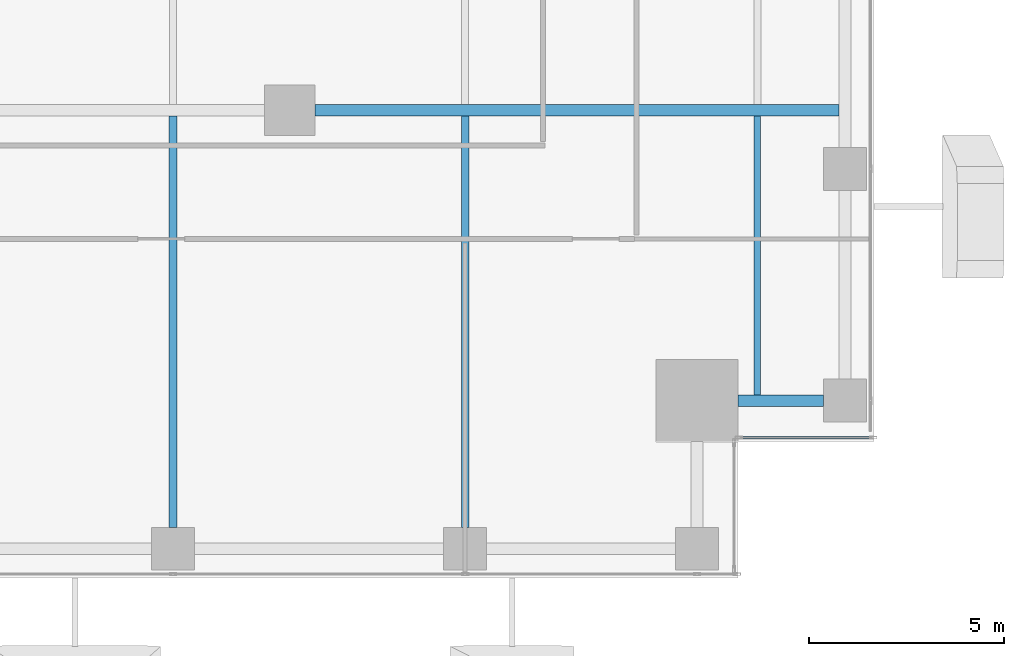
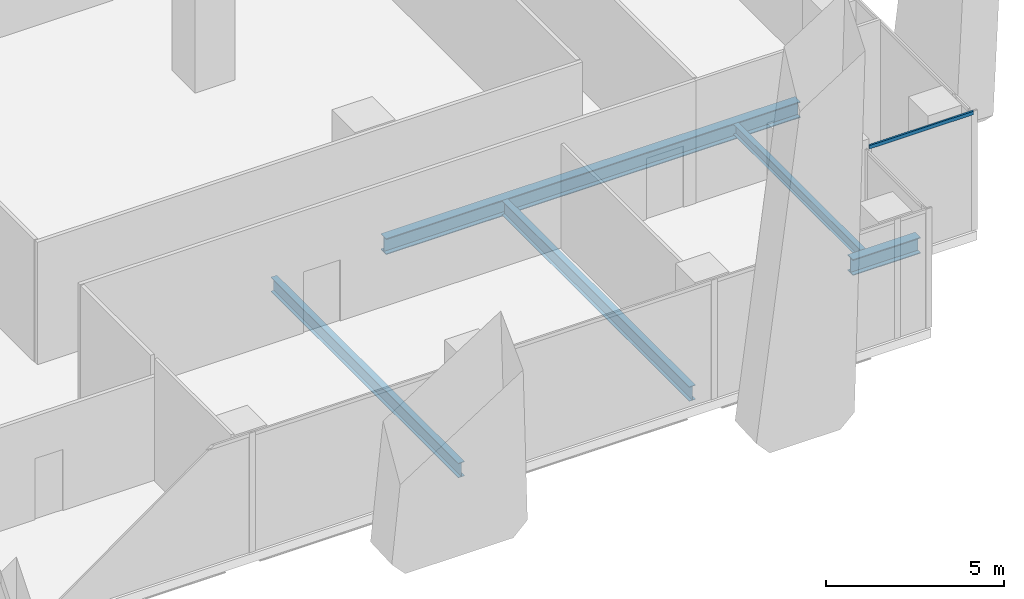
# One storey, part 10 of 35: 5 beams, 1 member, 1 element without a shape of its own.
"""IFC4 building model written with IfcOpenShell, lengths in metres."""

from ifc_helpers import new_model, si_unit, direction, frame, origin, origin_2d, place, context, subcontext, project, spatial, hollow_rectangle, i_section, extrude, source, transform, mapped, material, material_profile, profile_set, type_object, element, aggregate, save


model = new_model("IFC4")

# Units and contexts
model_context = context("Model", 3, precision=1e-05, world=origin(), true_north=direction((0.0, 1.0)))
body_context = subcontext(model_context, "Body", "Model", "MODEL_VIEW")
ifc_project = project(units=[si_unit("LENGTHUNIT", "METRE"), si_unit("AREAUNIT", "SQUARE_METRE"), si_unit("VOLUMEUNIT", "CUBIC_METRE"), si_unit("PLANEANGLEUNIT", "RADIAN"), si_unit("MASSUNIT", "GRAM", prefix="KILO")], contexts=[model_context])

# Site, building, storey
site_placement = place(None, origin())
site = spatial("IfcSite", under=ifc_project, at=site_placement, CompositionType="ELEMENT")
building_placement = place(site_placement, origin())
building = spatial("IfcBuilding", under=site, at=building_placement, Name="Khomas Fold Tower", CompositionType="ELEMENT")
storey_placement = place(building_placement, frame((0.0, 0.0, 119.10009765625)))
storey = spatial("IfcBuildingStorey", under=building, at=storey_placement, Name="L25", CompositionType="ELEMENT", Elevation=119.10009765625)

# Beams
ifc_material_1 = material(Name="Steel S355", Category="steel")
ifc_material_profile_1 = material_profile(ifc_material_1, i_section(OverallWidth=0.169921875, OverallDepth=0.360107421875, WebThickness=0.008056640625, FlangeThickness=0.0126953125, at=origin_2d()), Name="IPE 360")
ifc_profile_set_1 = profile_set([ifc_material_profile_1], Name="Steel S355")
beam_type_1 = type_object("IfcBeamType", Name="IPE 360 beam JB2", PredefinedType="BEAM", material=ifc_profile_set_1)
shared_shape_1 = source(origin(), body_context, "Body", "SweptSolid", [
    extrude(i_section(OverallWidth=0.169921875, OverallDepth=0.360107421875, WebThickness=0.008056640625, FlangeThickness=0.0126953125, at=origin_2d()), origin(), (0.0, 0.0, 1.0), 7.150146484375),
])
beam_1_placement = place(storey_placement, frame((49.5, 6.199951171875, -0.47998046875), z_axis=(0.0, 1.0, 0.0), x_axis=(-1.0, 0.0, 0.0)))
element("IfcBeam", 1, at=beam_1_placement, inside=storey, type_object=beam_type_1, Name="JB2", PredefinedType="BEAM", context=body_context, shape_type="MappedRepresentation", body=[
    mapped(shared_shape_1, transform((0.0, 0.0, 0.0))),
])
ifc_material_2 = material(Name="Steel S355", Category="steel")
ifc_material_profile_2 = material_profile(ifc_material_2, i_section(OverallWidth=0.300048828125, OverallDepth=0.550048828125, WebThickness=0.014892578125, FlangeThickness=0.029052734375, at=origin_2d()), Name="HE 550 B")
ifc_profile_set_2 = profile_set([ifc_material_profile_2], Name="Steel S355")
beam_type_2 = type_object("IfcBeamType", Name="HE 550 B spandrel SB2", PredefinedType="SPANDREL", material=ifc_profile_set_2)
shared_shape_2 = source(origin(), body_context, "Body", "SweptSolid", [
    extrude(i_section(OverallWidth=0.300048828125, OverallDepth=0.550048828125, WebThickness=0.014892578125, FlangeThickness=0.029052734375, at=origin_2d()), origin(), (0.0, 0.0, 1.0), 2.199951171875),
])
beam_2_placement = place(storey_placement, frame((49.0, 6.050048828125, -0.5751953125), z_axis=(1.0, 0.0, 0.0), x_axis=(0.0, 1.0, 0.0)))
element("IfcBeam", 2, at=beam_2_placement, inside=storey, type_object=beam_type_2, Name="SB2", PredefinedType="SPANDREL", context=body_context, shape_type="MappedRepresentation", body=[
    mapped(shared_shape_2, transform((0.0, 0.0, 0.0))),
])
ifc_material_3 = material(Name="Steel S355", Category="steel")
ifc_material_profile_3 = material_profile(ifc_material_3, i_section(OverallWidth=0.300048828125, OverallDepth=0.550048828125, WebThickness=0.014892578125, FlangeThickness=0.029052734375, at=origin_2d()), Name="HE 550 B")
ifc_profile_set_3 = profile_set([ifc_material_profile_3], Name="Steel S355")
beam_type_3 = type_object("IfcBeamType", Name="HE 550 B beam GB4", PredefinedType="BEAM", material=ifc_profile_set_3)
shared_shape_3 = source(origin(), body_context, "Body", "SweptSolid", [
    extrude(i_section(OverallWidth=0.300048828125, OverallDepth=0.550048828125, WebThickness=0.014892578125, FlangeThickness=0.029052734375, at=origin_2d()), origin(), (0.0, 0.0, 1.0), 13.4501953125),
])
beam_3_placement = place(storey_placement, frame((38.14990234375, 13.5, -0.5751953125), z_axis=(1.0, 0.0, 0.0), x_axis=(0.0, 1.0, 0.0)))
element("IfcBeam", 3, at=beam_3_placement, inside=storey, type_object=beam_type_3, Name="GB4", PredefinedType="BEAM", context=body_context, shape_type="MappedRepresentation", body=[
    mapped(shared_shape_3, transform((0.0, 0.0, 0.0))),
])
ifc_material_4 = material(Name="Steel S355", Category="steel")
ifc_material_profile_4 = material_profile(ifc_material_4, i_section(OverallWidth=0.199951171875, OverallDepth=0.5, WebThickness=0.01025390625, FlangeThickness=0.01611328125, at=origin_2d()), Name="IPE 500")
ifc_profile_set_4 = profile_set([ifc_material_profile_4], Name="Steel S355")
beam_type_4 = type_object("IfcBeamType", Name="IPE 500 beam JB5", PredefinedType="BEAM", material=ifc_profile_set_4)
shared_shape_4 = source(origin(), body_context, "Body", "SweptSolid", [
    extrude(i_section(OverallWidth=0.199951171875, OverallDepth=0.5, WebThickness=0.01025390625, FlangeThickness=0.01611328125, at=origin_2d()), origin(), (0.0, 0.0, 1.0), 10.550048828125),
])
for number, where, z_axis, x_axis, name in (
    (4, (34.5, 2.800048828125, -0.550048828125), (0.0, 1.0, 0.0), (-1.0, 0.0, 0.0), "JB5"),
    (5, (42.0, 2.800048828125, -0.550048828125), (0.0, 1.0, 0.0), (-1.0, 0.0, 0.0), "JB5"),
):
    element("IfcBeam", number, at=place(storey_placement, frame(where, z_axis=z_axis, x_axis=x_axis)), inside=storey, type_object=beam_type_4, Name=name, PredefinedType="BEAM", context=body_context, shape_type="MappedRepresentation", body=[
        mapped(shared_shape_4, transform((0.0, 0.0, 0.0))),
    ])

# Curtain wall, member
ifc_material_5 = material(Name="Aluminium framed double glazing", Category="aluminium")
curtain_wall_type = type_object("IfcCurtainWallType", Name="SK-Unitised clear-glass wall, growing floors CW1", PredefinedType="NOTDEFINED", material=ifc_material_5)
curtain_wall_placement = place(storey_placement, origin())
curtain_wall = element("IfcCurtainWall", 6, at=curtain_wall_placement, inside=storey, type_object=curtain_wall_type, Name="CW1 corner return L25 02", PredefinedType="NOTDEFINED")
ifc_material_6 = material(Name="Aluminium", Category="aluminium")
ifc_material_profile_5 = material_profile(ifc_material_6, hollow_rectangle(XDim=0.06005859375, YDim=0.1201171875, WallThickness=0.00390625, at=origin_2d()), Name="SK-Unitised clear-glass wall, growing floors transom CW1-T")
ifc_profile_set_5 = profile_set([ifc_material_profile_5], Name="Aluminium")
member_type = type_object("IfcMemberType", Name="SK-Unitised clear-glass wall, growing floors transom CW1-T", PredefinedType="USERDEFINED", material=ifc_profile_set_5)
shared_shape_5 = source(origin(), body_context, "Body", "SweptSolid", [
    extrude(hollow_rectangle(XDim=0.06005859375, YDim=0.1201171875, WallThickness=0.00390625, at=origin_2d()), origin(), (0.0, 0.0, 1.0), 3.3798828125),
])
member_placement = place(storey_placement, frame((49.06005859375, 5.10009765625, 4.039794921875), z_axis=(1.0, 0.0, 0.0), x_axis=(0.0, 1.0, 0.0)))
member = element("IfcMember", 7, at=member_placement, type_object=member_type, Name="CW1 transom 1", ObjectType="TRANSOM", PredefinedType="USERDEFINED", context=body_context, shape_type="MappedRepresentation", body=[
    mapped(shared_shape_5, transform((0.0, 0.0, 0.0))),
])
aggregate(curtain_wall, [member])

save(model, "model.ifc")
